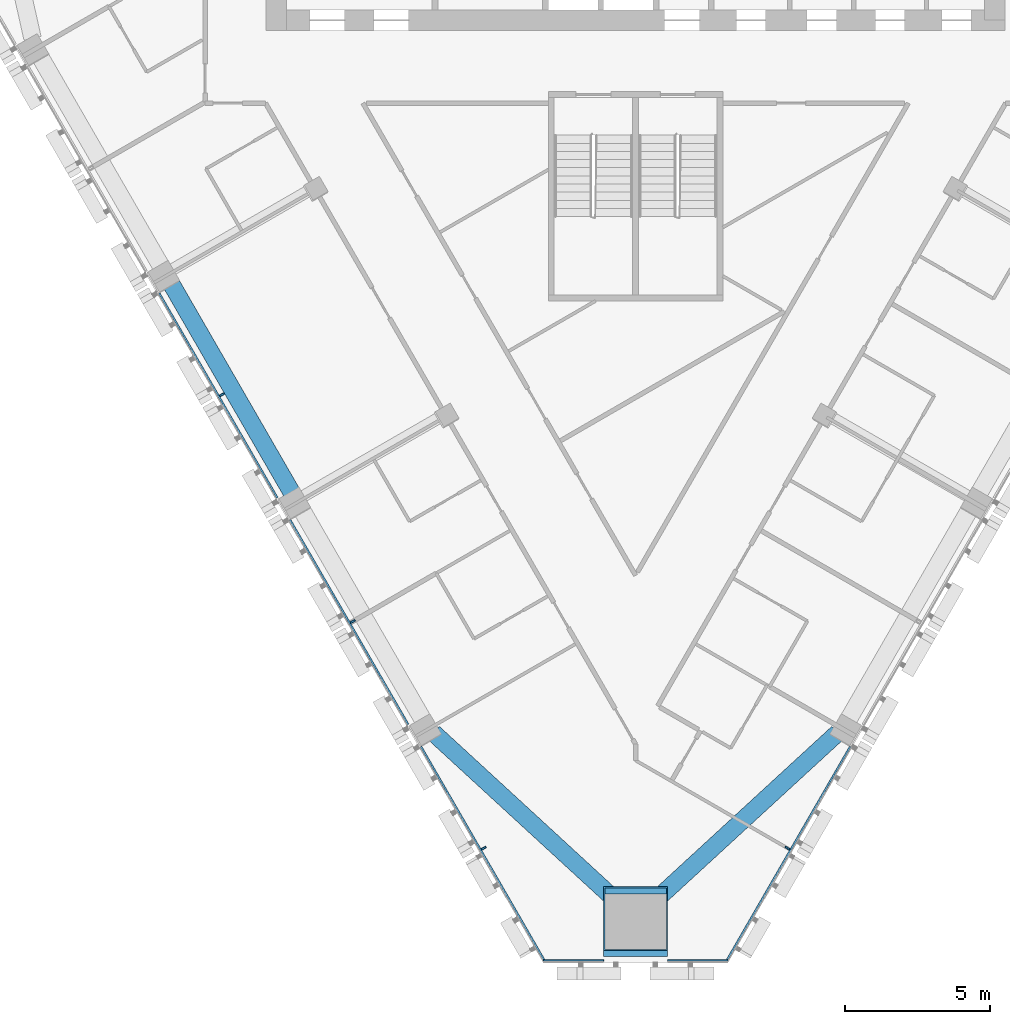
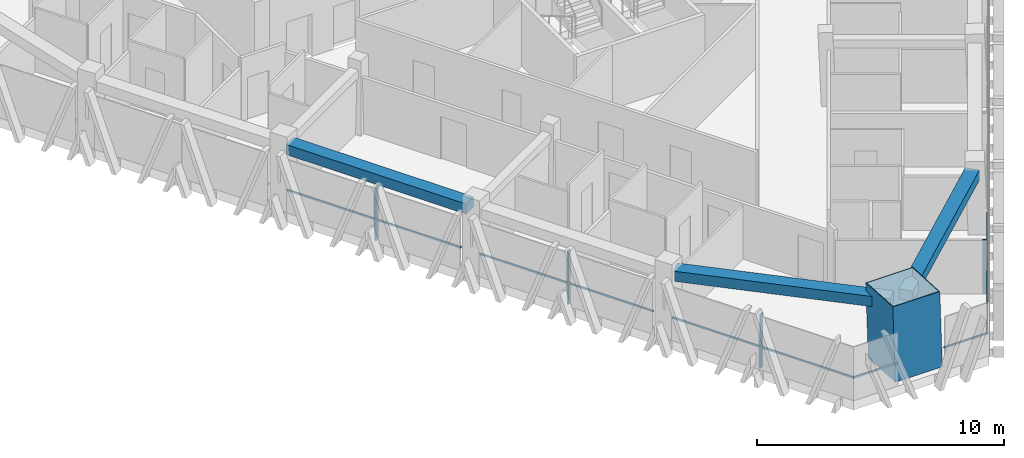
# One storey, part 2 of 16: 11 members, 3 beams, 3 elements without a shape of their own.
"""IFC4 building model written with IfcOpenShell, lengths in metres."""

from ifc_helpers import new_model, si_unit, direction, frame, origin, origin_2d, place, context, subcontext, project, spatial, rectangle, hollow_rectangle, extrude, material, layer, layer_set, material_profile, profile_set, type_object, element, aggregate, save


model = new_model("IFC4")

# Units and contexts
model_context = context("Model", 3, precision=1e-05, world=origin(), true_north=direction((0.0, 1.0)))
body_context = subcontext(model_context, "Body", "Model", "MODEL_VIEW")
ifc_project = project(units=[si_unit("LENGTHUNIT", "METRE"), si_unit("AREAUNIT", "SQUARE_METRE"), si_unit("VOLUMEUNIT", "CUBIC_METRE"), si_unit("PLANEANGLEUNIT", "RADIAN"), si_unit("MASSUNIT", "GRAM", prefix="KILO")], contexts=[model_context])

# Site, building, storey
site_placement = place(None, origin())
site = spatial("IfcSite", under=ifc_project, at=site_placement, CompositionType="ELEMENT")
building_placement = place(site_placement, origin())
building = spatial("IfcBuilding", under=site, at=building_placement, Name="Altiplano Prism Tower", CompositionType="ELEMENT")
storey_placement = place(building_placement, frame((0.0, 0.0, 198.0)))
storey = spatial("IfcBuildingStorey", under=building, at=storey_placement, Name="L51", CompositionType="ELEMENT", Elevation=198.0)

# Curtain wall, members
ifc_material_1 = material(Name="Aluminium and glass", Category="aluminium")
ifc_layer = layer(ifc_material_1, 0.280029296875)
ifc_layer_set = layer_set([ifc_layer], Name="Aluminium and glass")
curtain_wall_type = type_object("IfcCurtainWallType", Name="CW1 typical co-living unitised curtain wall", PredefinedType="NOTDEFINED", material=ifc_layer_set)
curtain_wall_1_placement = place(storey_placement, origin())
curtain_wall_1 = element("IfcCurtainWall", 1, at=curtain_wall_1_placement, inside=storey, type_object=curtain_wall_type, Name="CW1 curtain wall south-west face L51", PredefinedType="NOTDEFINED")
ifc_material_2 = material(Name="Aluminium", Category="aluminium")
ifc_material_profile_1 = material_profile(ifc_material_2, rectangle(XDim=0.179931640625, YDim=0.06494140625, at=origin_2d()), Name="CW1 mullion 65 x 180")
ifc_profile_set_1 = profile_set([ifc_material_profile_1], Name="Aluminium")
member_type_1 = type_object("IfcMemberType", Name="CW1 mullion 65 x 180", PredefinedType="MULLION", material=ifc_profile_set_1)
member_1_placement = place(storey_placement, frame((70.777587890625, 80.176025390625, 0.0), z_axis=(0.0, 0.0, 1.0), x_axis=(0.86602540909, 0.49999999081, 0.0)))
member_1 = element("IfcMember", 2, at=member_1_placement, type_object=member_type_1, Name="CW1 mullion", PredefinedType="MULLION", context=body_context, shape_type="SweptSolid", body=[
    extrude(rectangle(XDim=0.179931640625, YDim=0.06494140625, at=origin_2d()), origin(), (0.0, 0.0, 1.0), 2.64990234375),
])
member_2_placement = place(storey_placement, frame((75.277587890625, 72.381591796875, 0.0), z_axis=(0.0, 0.0, 1.0), x_axis=(0.86602540909, 0.49999999081, 0.0)))
member_2 = element("IfcMember", 3, at=member_2_placement, type_object=member_type_1, Name="CW1 mullion", PredefinedType="MULLION", context=body_context, shape_type="SweptSolid", body=[
    extrude(rectangle(XDim=0.179931640625, YDim=0.06494140625, at=origin_2d()), origin(), (0.0, 0.0, 1.0), 2.64990234375),
])
member_3_placement = place(storey_placement, frame((79.777587890625, 64.58740234375, 0.0), z_axis=(0.0, 0.0, 1.0), x_axis=(0.86602540909, 0.49999999081, 0.0)))
member_3 = element("IfcMember", 4, at=member_3_placement, type_object=member_type_1, Name="CW1 mullion", PredefinedType="MULLION", context=body_context, shape_type="SweptSolid", body=[
    extrude(rectangle(XDim=0.179931640625, YDim=0.06494140625, at=origin_2d()), origin(), (0.0, 0.0, 1.0), 2.64990234375),
])

# Curtain wall, member
curtain_wall_2_placement = place(storey_placement, origin())
curtain_wall_2 = element("IfcCurtainWall", 5, at=curtain_wall_2_placement, inside=storey, type_object=curtain_wall_type, Name="CW1 curtain wall south-east face L51", PredefinedType="NOTDEFINED")
member_4_placement = place(storey_placement, frame((90.222412109375, 64.58740234375, 0.0), z_axis=(0.0, 0.0, 1.0), x_axis=(-0.86602540909, 0.49999999081, 0.0)))
member_4 = element("IfcMember", 6, at=member_4_placement, type_object=member_type_1, Name="CW1 mullion", PredefinedType="MULLION", context=body_context, shape_type="SweptSolid", body=[
    extrude(rectangle(XDim=0.179931640625, YDim=0.06494140625, at=origin_2d()), origin(), (0.0, 0.0, 1.0), 2.64990234375),
])

# Member
ifc_material_profile_2 = material_profile(ifc_material_2, rectangle(XDim=0.06005859375, YDim=0.080078125, at=origin_2d()), Name="CW1 transom 80 x 60")
ifc_profile_set_2 = profile_set([ifc_material_profile_2], Name="Aluminium")
member_type_2 = type_object("IfcMemberType", Name="CW1 transom 80 x 60", PredefinedType="USERDEFINED", material=ifc_profile_set_2)
member_5_placement = place(storey_placement, frame((68.6240234375, 83.666015625, 1.10009765625), z_axis=(0.499990533176, -0.866030869389, 0.0), x_axis=(0.866030869389, 0.499990533176, 0.0)))
member_5 = element("IfcMember", 7, at=member_5_placement, type_object=member_type_2, Name="CW1 transom", ObjectType="TRANSOM", PredefinedType="USERDEFINED", context=body_context, shape_type="SweptSolid", body=[
    extrude(rectangle(XDim=0.06005859375, YDim=0.080078125, at=origin_2d()), origin(), (0.0, 0.0, 1.0), 8.119873046875),
])

member_6_placement = place(storey_placement, frame((73.1240234375, 75.871826171875, 1.10009765625), z_axis=(0.499990533176, -0.866030869389, 0.0), x_axis=(0.866030869389, 0.499990533176, 0.0)))
member_6 = element("IfcMember", 8, at=member_6_placement, type_object=member_type_2, Name="CW1 transom", ObjectType="TRANSOM", PredefinedType="USERDEFINED", context=body_context, shape_type="SweptSolid", body=[
    extrude(rectangle(XDim=0.06005859375, YDim=0.080078125, at=origin_2d()), origin(), (0.0, 0.0, 1.0), 8.119873046875),
])

member_7_placement = place(storey_placement, frame((77.6240234375, 68.07763671875, 1.10009765625), z_axis=(0.49999335053, -0.866029242824, 0.0), x_axis=(0.866029242824, 0.49999335053, 0.0)))
member_7 = element("IfcMember", 9, at=member_7_placement, type_object=member_type_2, Name="CW1 transom", ObjectType="TRANSOM", PredefinedType="USERDEFINED", context=body_context, shape_type="SweptSolid", body=[
    extrude(rectangle(XDim=0.06005859375, YDim=0.080078125, at=origin_2d()), origin(), (0.0, 0.0, 1.0), 8.529296875),
])

aggregate(curtain_wall_1, [member_1, member_5, member_2, member_6, member_3, member_7])

# Curtain wall, members
curtain_wall_3_placement = place(storey_placement, origin())
curtain_wall_3 = element("IfcCurtainWall", 10, at=curtain_wall_3_placement, inside=storey, type_object=curtain_wall_type, Name="CW1 curtain wall south chamfer L51", PredefinedType="NOTDEFINED")
member_8_placement = place(storey_placement, frame((81.828125, 60.725830078125, 1.10009765625), z_axis=(1.0, 0.0, 0.0), x_axis=(0.0, 1.0, 0.0)))
member_8 = element("IfcMember", 11, at=member_8_placement, type_object=member_type_2, Name="CW1 transom", ObjectType="TRANSOM", PredefinedType="USERDEFINED", context=body_context, shape_type="SweptSolid", body=[
    extrude(rectangle(XDim=0.06005859375, YDim=0.080078125, at=origin_2d()), origin(), (0.0, 0.0, 1.0), 2.07177734375),
])
member_9_placement = place(storey_placement, frame((86.10009765625, 60.725830078125, 1.10009765625), z_axis=(1.0, 0.0, 0.0), x_axis=(0.0, 1.0, 0.0)))
member_9 = element("IfcMember", 12, at=member_9_placement, type_object=member_type_2, Name="CW1 transom", ObjectType="TRANSOM", PredefinedType="USERDEFINED", context=body_context, shape_type="SweptSolid", body=[
    extrude(rectangle(XDim=0.06005859375, YDim=0.080078125, at=origin_2d()), origin(), (0.0, 0.0, 1.0), 2.07177734375),
])
aggregate(curtain_wall_3, [member_8, member_9])

# Member
member_10_placement = place(storey_placement, frame((88.111328125, 60.69091796875, 1.10009765625), z_axis=(0.49999335053, 0.866029242824, 0.0), x_axis=(-0.866029242824, 0.49999335053, 0.0)))
member_10 = element("IfcMember", 13, at=member_10_placement, type_object=member_type_2, Name="CW1 transom", ObjectType="TRANSOM", PredefinedType="USERDEFINED", context=body_context, shape_type="SweptSolid", body=[
    extrude(rectangle(XDim=0.06005859375, YDim=0.080078125, at=origin_2d()), origin(), (0.0, 0.0, 1.0), 8.529296875),
])

aggregate(curtain_wall_2, [member_4, member_10])

# Beams
ifc_material_3 = material(Name="Concrete C60/75", Category="concrete")
ifc_material_profile_3 = material_profile(ifc_material_3, rectangle(XDim=0.60009765625, YDim=0.5, at=origin_2d()), Name="Edge beam 600x500")
ifc_profile_set_3 = profile_set([ifc_material_profile_3], Name="Concrete C60/75")
beam_type = type_object("IfcBeamType", Name="Edge beam 600x500", PredefinedType="SPANDREL", material=ifc_profile_set_3)
beam_placement = place(storey_placement, frame((68.97265625, 84.09912109375, 2.89990234375), z_axis=(0.499993714791, -0.866029032521, 0.0), x_axis=(0.866029032521, 0.499993714791, 0.0)))
element("IfcBeam", 14, at=beam_placement, inside=storey, type_object=beam_type, Name="Edge beam P12-P13 L52", PredefinedType="SPANDREL", context=body_context, shape_type="SweptSolid", body=[
    extrude(rectangle(XDim=0.60009765625, YDim=0.5, at=origin_2d()), origin(), (0.0, 0.0, 1.0), 8.43994140625),
])
for number, where, z_axis, x_axis, name in (
    (15, (78.052978515625, 68.55078125, 2.89990234375), (0.736285078436, -0.676671473665, 0.0), (0.676671473665, 0.736285078436, 0.0), "Edge beam P14-M1 L52"),
    (16, (85.331298828125, 62.470703125, 2.89990234375), (0.736285078436, 0.676671473665, 0.0), (-0.676671473665, 0.736285078436, 0.0), "Edge beam M1-P21 L52"),
):
    element("IfcBeam", number, at=place(storey_placement, frame(where, z_axis=z_axis, x_axis=x_axis)), inside=storey, type_object=beam_type, Name=name, PredefinedType="SPANDREL", context=body_context, shape_type="SweptSolid", body=[
        extrude(rectangle(XDim=0.60009765625, YDim=0.5, at=origin_2d()), origin(), (0.0, 0.0, 1.0), 8.9853515625),
    ])

# Member
ifc_material_4 = material(Name="Steel S460", Category="steel")
ifc_material_profile_4 = material_profile(ifc_material_4, hollow_rectangle(XDim=2.199951171875, YDim=2.199951171875, WallThickness=0.0400390625, at=origin_2d()), Name="Mega column tube 2200")
ifc_profile_set_4 = profile_set([ifc_material_profile_4], Name="Steel S460")
member_type_3 = type_object("IfcMemberType", Name="Mega column tube 2200", PredefinedType="POST", material=ifc_profile_set_4)
member_11_placement = place(storey_placement, frame((85.0, 61.955810546875, 0.0), z_axis=(0.0, 0.058356907999, 0.998295783467), x_axis=(-1.0, 0.0, 0.0)))
element("IfcMember", 17, at=member_11_placement, inside=storey, type_object=member_type_3, Name="Mega column tube M1 L51", PredefinedType="POST", context=body_context, shape_type="SweptSolid", body=[
    extrude(hollow_rectangle(XDim=2.199951171875, YDim=2.199951171875, WallThickness=0.0400390625, at=origin_2d()), origin(), (0.0, 0.0, 1.0), 3.606201171875),
])

save(model, "model.ifc")
